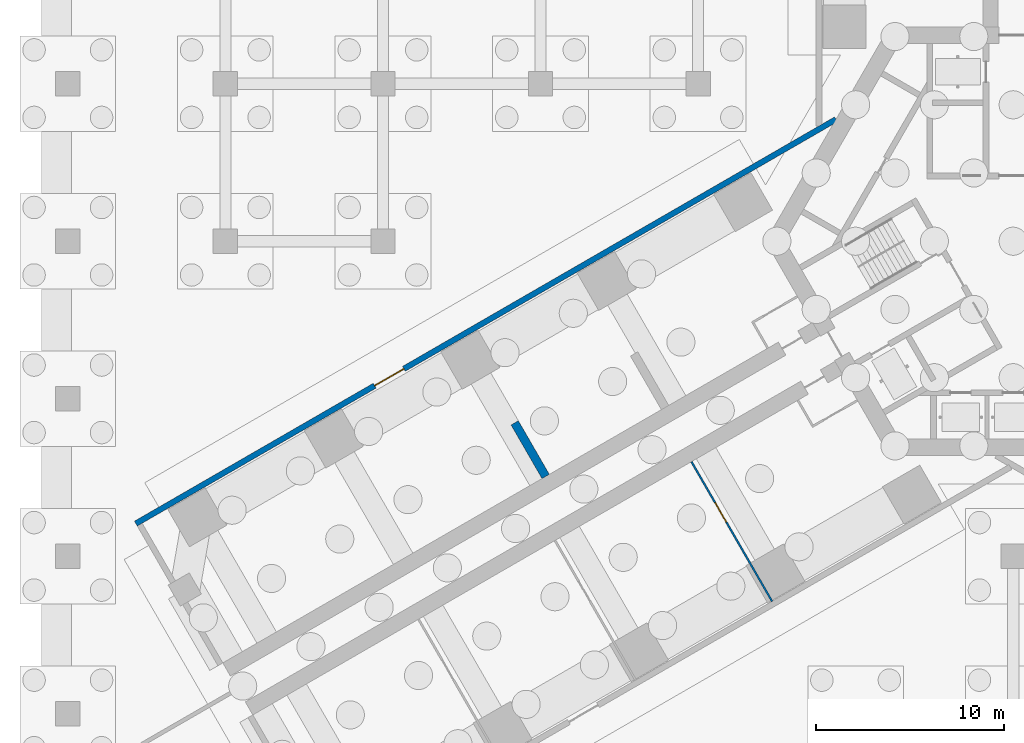
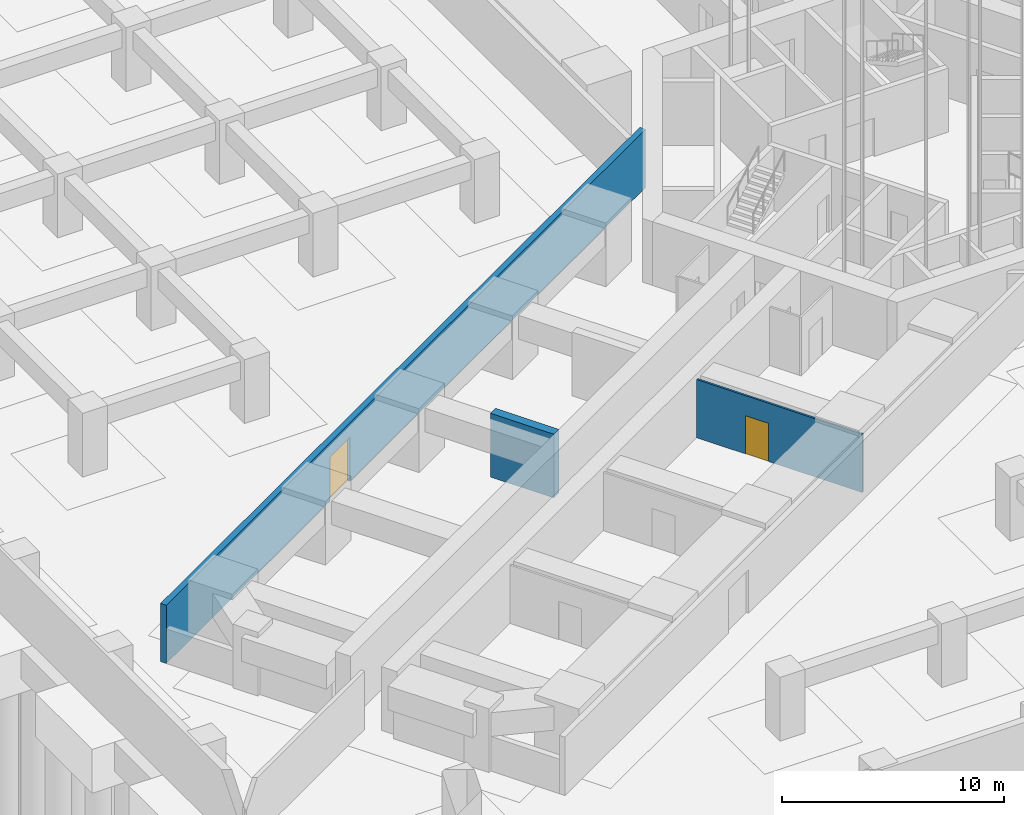
# One storey, part 53 of 73: 3 walls, 2 doors, 2 openings.
"""IFC4 building model written with IfcOpenShell, lengths in metres."""

from ifc_helpers import new_model, si_unit, direction, frame, frame_2d, origin, place, context, subcontext, project, spatial, rectangle, extrude, material, layer, layer_set, type_object, element, fill, save


model = new_model("IFC4")

# Units and contexts
model_context = context("Model", 3, precision=1e-05, world=origin(), true_north=direction((0.0, 1.0)))
body_context = subcontext(model_context, "Body", "Model", "MODEL_VIEW")
ifc_project = project(units=[si_unit("LENGTHUNIT", "METRE"), si_unit("AREAUNIT", "SQUARE_METRE"), si_unit("VOLUMEUNIT", "CUBIC_METRE"), si_unit("PLANEANGLEUNIT", "RADIAN"), si_unit("MASSUNIT", "GRAM", prefix="KILO")], contexts=[model_context])

# Site, building, storey
site_placement = place(None, origin())
site = spatial("IfcSite", under=ifc_project, at=site_placement, CompositionType="ELEMENT")
building_placement = place(site_placement, origin())
building = spatial("IfcBuilding", under=site, at=building_placement, Name="Impinga Residences", CompositionType="ELEMENT")
storey_placement = place(building_placement, frame((0.0, 0.0, -10.5)))
storey = spatial("IfcBuildingStorey", under=building, at=storey_placement, Name="B3", CompositionType="ELEMENT", Elevation=-10.5)

# Wall, opening, door
ifc_material_1 = material(Name="Concrete blockwork", Category="masonry")
ifc_layer_1 = layer(ifc_material_1, 0.10009765625)
ifc_layer_set_1 = layer_set([ifc_layer_1], Name="CP1 core room partition, blockwork 100")
wall_type_1 = type_object("IfcWallType", Name="CP1 core room partition, blockwork 100", PredefinedType="PARTITIONING", material=ifc_layer_set_1)
wall_1_placement = place(storey_placement, frame((-17.154052734375, -11.75146484375, 0.0), z_axis=(0.0, 0.0, 1.0), x_axis=(0.500007509209, -0.866021068297, 0.0)))
wall_1 = element("IfcWall", 1, at=wall_1_placement, inside=storey, type_object=wall_type_1, Name="Core room partition, blockwork B3-WA1:PS1", PredefinedType="PARTITIONING", context=body_context, shape_type="SweptSolid", body=[
    extrude(rectangle(XDim=8.599853515625, YDim=0.10009765625, at=frame_2d((4.2998046875, 0.0))), origin(), (0.0, 0.0, 1.0), 3.199951171875),
])
opening_1_placement = place(wall_1_placement, frame((2.52490234375, 0.0, 0.0)))
opening_1 = element("IfcOpeningElement", 2, at=opening_1_placement, cuts=wall_1, Name="Opening D3", PredefinedType="OPENING", context=body_context, shape_type="SweptSolid", body=[
    extrude(rectangle(XDim=1.199951171875, YDim=2.10009765625, at=frame_2d((0.60009765625, 1.050048828125))), frame((0.0, 0.06005859375, 0.0), z_axis=(0.0, -1.0, 0.0), x_axis=(1.0, 0.0, 0.0)), (0.0, 0.0, 1.0), 0.1201171875),
])
ifc_material_2 = material(Name="Timber door set", Category="wood")
door_type_1 = type_object("IfcDoorType", Name="D3 room door, leaf and a half 1200x2100", OperationType="DOUBLE_SWING_LEFT", PredefinedType="DOOR", material=ifc_material_2)
door_1_placement = place(opening_1_placement, origin())
door_1 = element("IfcDoor", 3, at=door_1_placement, inside=storey, type_object=door_type_1, Name="Sprinkler tank room door B3-WA1", OperationType="DOUBLE_SWING_LEFT", OverallHeight=2.10009765625, OverallWidth=1.199951171875, PredefinedType="DOOR", context=body_context, shape_type="SweptSolid", body=[
    extrude(rectangle(XDim=1.199951171875, YDim=2.10009765625, at=frame_2d((0.60009765625, 1.050048828125))), frame((0.0, 0.02490234375, 0.0), z_axis=(0.0, -1.0, 0.0), x_axis=(1.0, 0.0, 0.0)), (0.0, 0.0, 1.0), 0.050048828125),
])
fill(opening_1, door_1)

ifc_layer_2 = layer(ifc_material_1, 0.300048828125)
ifc_layer_set_2 = layer_set([ifc_layer_2], Name="PW3 podium wall on the wing face 300")
wall_type_2 = type_object("IfcWallType", Name="PW3 podium wall on the wing face 300", PredefinedType="SOLIDWALL", material=ifc_layer_set_2)
wall_2_placement = place(storey_placement, frame((-9.449951171875, 6.4951171875, 0.0), z_axis=(0.0, 0.0, 1.0), x_axis=(-0.866025301493, -0.500000177174, 0.0)))
wall_2 = element("IfcWall", 4, at=wall_2_placement, inside=storey, type_object=wall_type_2, Name="Podium wall on the wing face B3:SIDE:WF0", PredefinedType="SOLIDWALL", context=body_context, shape_type="SweptSolid", body=[
    extrude(rectangle(XDim=43.09521484375, YDim=0.300048828125, at=frame_2d((21.547607421875, 0.0))), origin(), (0.0, 0.0, 1.0), 3.199951171875),
])
opening_2_placement = place(wall_2_placement, frame((26.59521484375, 0.0, 0.0)))
opening_2 = element("IfcOpeningElement", 5, at=opening_2_placement, cuts=wall_2, Name="Opening D7", PredefinedType="OPENING", context=body_context, shape_type="SweptSolid", body=[
    extrude(rectangle(XDim=1.800048828125, YDim=2.39990234375, at=frame_2d((0.89990234375, 1.199951171875))), frame((0.0, 0.159912109375, 0.0), z_axis=(0.0, -1.0, 0.0), x_axis=(1.0, 0.0, 0.0)), (0.0, 0.0, 1.0), 0.320068359375),
])
door_type_2 = type_object("IfcDoorType", Name="D7 podium door pair 1800x2400", OperationType="DOUBLE_DOOR_DOUBLE_SWING", PredefinedType="DOOR", material=ifc_material_2)
door_2_placement = place(opening_2_placement, origin())
door_2 = element("IfcDoor", 6, at=door_2_placement, inside=storey, type_object=door_type_2, Name="Double door WF", OperationType="DOUBLE_DOOR_DOUBLE_SWING", OverallHeight=2.39990234375, OverallWidth=1.800048828125, PredefinedType="DOOR", context=body_context, shape_type="SweptSolid", body=[
    extrude(rectangle(XDim=1.800048828125, YDim=2.39990234375, at=frame_2d((0.89990234375, 1.199951171875))), frame((0.0, 0.02490234375, 0.0), z_axis=(0.0, -1.0, 0.0), x_axis=(1.0, 0.0, 0.0)), (0.0, 0.0, 1.0), 0.050048828125),
])
fill(opening_2, door_2)

# Wall
ifc_material_3 = material(Name="Concrete C60/75", Category="concrete")
ifc_layer_3 = layer(ifc_material_3, 0.449951171875)
ifc_layer_set_3 = layer_set([ifc_layer_3], Name="Concrete C60/75")
wall_type_3 = type_object("IfcWallType", Name="SE3 wing stair end wall carried down to the raft, basements 450", PredefinedType="SOLIDWALL", material=ifc_layer_set_3)
wall_3_placement = place(storey_placement, frame((-24.924560546875, -12.542724609375, 0.0), z_axis=(0.0, 0.0, 1.0), x_axis=(-0.499974350878, 0.866040211805, 0.0)))
element("IfcWall", 7, at=wall_3_placement, inside=storey, type_object=wall_type_3, Name="Stair enclosure wall SE3 W END1 B3", PredefinedType="SOLIDWALL", context=body_context, shape_type="SweptSolid", body=[
    extrude(rectangle(XDim=3.300048828125, YDim=0.449951171875, at=frame_2d((1.64990234375, 0.0))), origin(), (0.0, 0.0, 1.0), 3.5),
])

save(model, "model.ifc")
